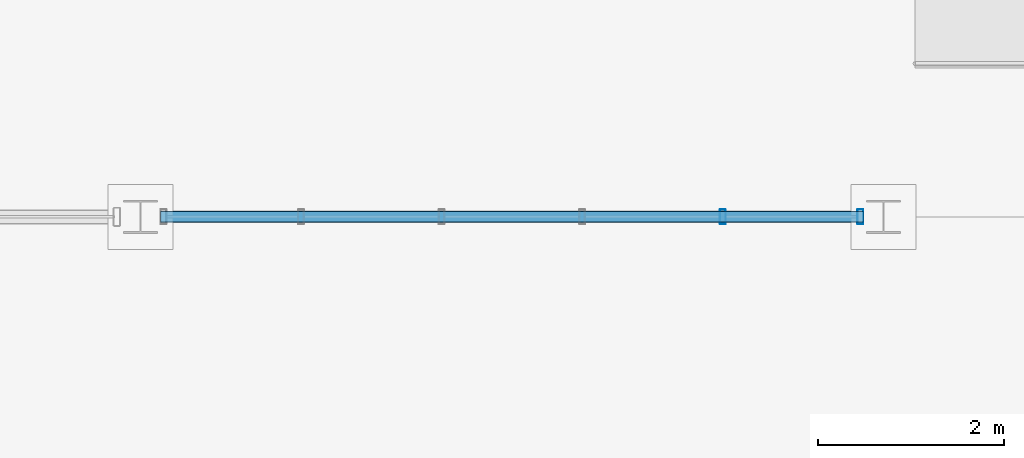
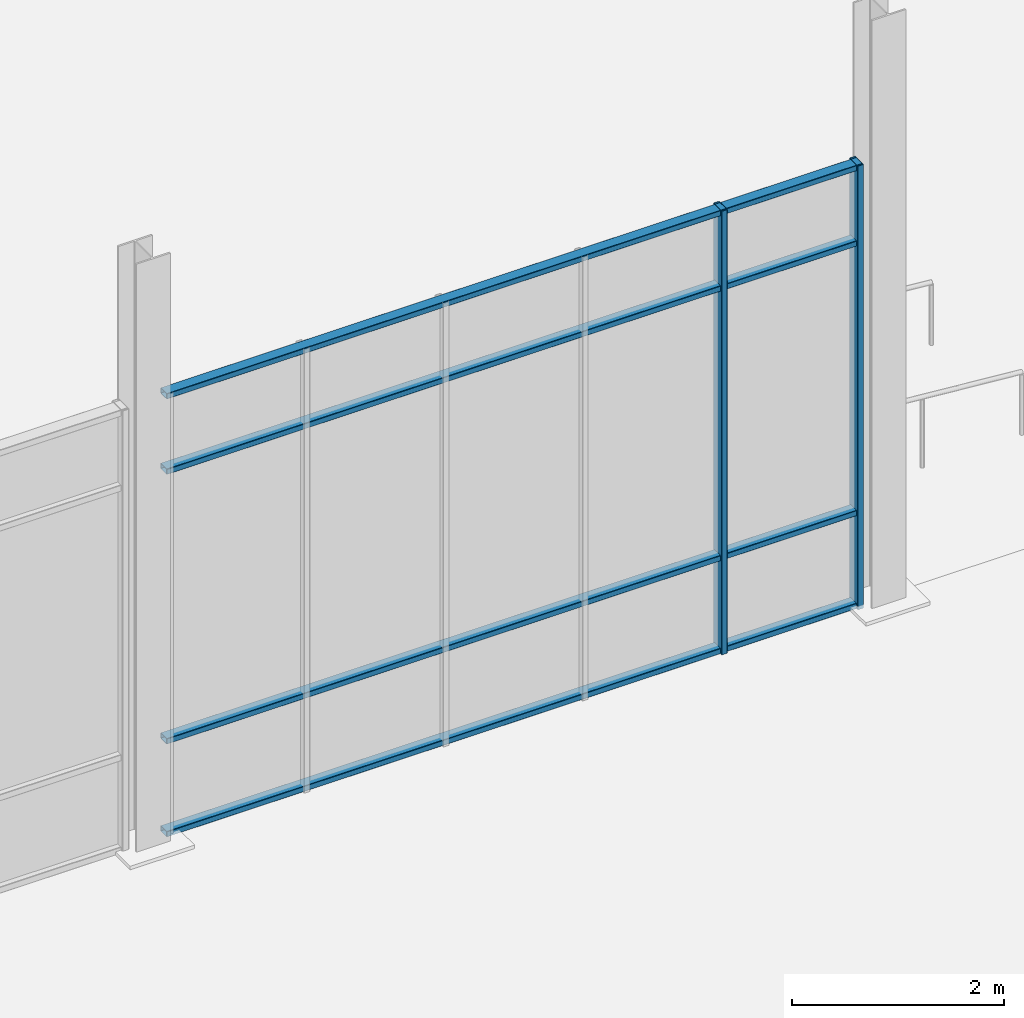
# One storey, part 67 of 140: 6 members, 1 element without a shape of its own.
"""IFC4 building model written with IfcOpenShell, lengths in metres."""

from ifc_helpers import new_model, si_unit, direction, frame, origin, origin_2d, place, context, subcontext, project, spatial, hollow_rectangle, extrude, material, material_profile, profile_set, type_object, element, aggregate, save


model = new_model("IFC4")

# Units and contexts
model_context = context("Model", 3, precision=1e-05, world=origin(), true_north=direction((0.0, 1.0)))
body_context = subcontext(model_context, "Body", "Model", "MODEL_VIEW")
ifc_project = project(units=[si_unit("LENGTHUNIT", "METRE"), si_unit("AREAUNIT", "SQUARE_METRE"), si_unit("VOLUMEUNIT", "CUBIC_METRE"), si_unit("PLANEANGLEUNIT", "RADIAN"), si_unit("MASSUNIT", "GRAM", prefix="KILO")], contexts=[model_context])

# Site, building, storey
site_placement = place(None, origin())
site = spatial("IfcSite", under=ifc_project, at=site_placement, CompositionType="ELEMENT")
building_placement = place(site_placement, origin())
building = spatial("IfcBuilding", under=site, at=building_placement, Name="Verrall Gate Interchange", CompositionType="ELEMENT")
storey_placement = place(building_placement, origin())
storey = spatial("IfcBuildingStorey", under=building, at=storey_placement, Name="L01", CompositionType="ELEMENT", Elevation=0.0)

# Curtain wall, members
ifc_material_1 = material(Name="Thermally Broken Anodized Aluminium Curtain Wall Framing", Category="aluminium")
curtain_wall_type = type_object("IfcCurtainWallType", Name="CW-06 Unitized Curtain Wall 7631x5100", PredefinedType="NOTDEFINED", material=ifc_material_1)
curtain_wall_placement = place(storey_placement, origin())
curtain_wall = element("IfcCurtainWall", 1, at=curtain_wall_placement, inside=storey, type_object=curtain_wall_type, Name="L01 Unitized Curtain Wall CW-L01-032", PredefinedType="NOTDEFINED")
ifc_material_2 = material(Name="Thermally Broken Anodized Aluminium Curtain Wall Framing", Category="aluminium")
ifc_material_profile_1 = material_profile(ifc_material_2, hollow_rectangle(XDim=0.06494140625, YDim=0.159912109375, WallThickness=0.00390625, InnerFilletRadius=0.00390625, OuterFilletRadius=0.008056640625, at=origin_2d()), Name="CWM160x65x4")
ifc_profile_set_1 = profile_set([ifc_material_profile_1], Name="Thermally Broken Anodized Aluminium Curtain Wall Framing")
member_type_1 = type_object("IfcMemberType", Name="CM-01 Curtain Mullion CWM160x65x4", PredefinedType="MULLION", material=ifc_profile_set_1)
member_1_placement = place(storey_placement, frame((83.7509765625, 90.0, 0.0), z_axis=(0.0, 0.0, 1.0), x_axis=(-1.0, 0.0, 0.0)))
member_1 = element("IfcMember", 2, at=member_1_placement, type_object=member_type_1, Name="CW-L01-032 Mullion 1", PredefinedType="MULLION", context=body_context, shape_type="SweptSolid", body=[
    extrude(hollow_rectangle(XDim=0.06494140625, YDim=0.159912109375, WallThickness=0.00390625, InnerFilletRadius=0.00390625, OuterFilletRadius=0.008056640625, at=origin_2d()), origin(), (0.0, 0.0, 1.0), 5.10009765625),
])
member_2_placement = place(storey_placement, frame((82.27001953125, 90.0, 0.0), z_axis=(0.0, 0.0, 1.0), x_axis=(-1.0, 0.0, 0.0)))
member_2 = element("IfcMember", 3, at=member_2_placement, type_object=member_type_1, Name="CW-L01-032 Mullion 2", PredefinedType="MULLION", context=body_context, shape_type="SweptSolid", body=[
    extrude(hollow_rectangle(XDim=0.06494140625, YDim=0.159912109375, WallThickness=0.00390625, InnerFilletRadius=0.00390625, OuterFilletRadius=0.008056640625, at=origin_2d()), origin(), (0.0, 0.0, 1.0), 5.10009765625),
])
ifc_material_3 = material(Name="Thermally Broken Anodized Aluminium Curtain Wall Framing", Category="aluminium")
ifc_material_profile_2 = material_profile(ifc_material_3, hollow_rectangle(XDim=0.1201171875, YDim=0.06494140625, WallThickness=0.00390625, InnerFilletRadius=0.00390625, OuterFilletRadius=0.008056640625, at=origin_2d()), Name="CWT120x65x4")
ifc_profile_set_2 = profile_set([ifc_material_profile_2], Name="Thermally Broken Anodized Aluminium Curtain Wall Framing")
member_type_2 = type_object("IfcMemberType", Name="CT-01 Curtain Transom CWT120x65x4", PredefinedType="USERDEFINED", material=ifc_profile_set_2)
member_3_placement = place(storey_placement, frame((83.783447265625, 90.0, 0.032470703125), z_axis=(-1.0, 0.0, 0.0), x_axis=(0.0, -1.0, 0.0)))
member_3 = element("IfcMember", 4, at=member_3_placement, type_object=member_type_2, Name="CW-L01-032 Transom 1", ObjectType="TRANSOM", PredefinedType="USERDEFINED", context=body_context, shape_type="SweptSolid", body=[
    extrude(hollow_rectangle(XDim=0.1201171875, YDim=0.06494140625, WallThickness=0.00390625, InnerFilletRadius=0.00390625, OuterFilletRadius=0.008056640625, at=origin_2d()), origin(), (0.0, 0.0, 1.0), 7.56689453125),
])
member_4_placement = place(storey_placement, frame((83.783447265625, 90.0, 1.10009765625), z_axis=(-1.0, 0.0, 0.0), x_axis=(0.0, -1.0, 0.0)))
member_4 = element("IfcMember", 5, at=member_4_placement, type_object=member_type_2, Name="CW-L01-032 Transom 2", ObjectType="TRANSOM", PredefinedType="USERDEFINED", context=body_context, shape_type="SweptSolid", body=[
    extrude(hollow_rectangle(XDim=0.1201171875, YDim=0.06494140625, WallThickness=0.00390625, InnerFilletRadius=0.00390625, OuterFilletRadius=0.008056640625, at=origin_2d()), origin(), (0.0, 0.0, 1.0), 7.56689453125),
])
member_5_placement = place(storey_placement, frame((83.783447265625, 90.0, 4.199951171875), z_axis=(-1.0, 0.0, 0.0), x_axis=(0.0, -1.0, 0.0)))
member_5 = element("IfcMember", 6, at=member_5_placement, type_object=member_type_2, Name="CW-L01-032 Transom 3", ObjectType="TRANSOM", PredefinedType="USERDEFINED", context=body_context, shape_type="SweptSolid", body=[
    extrude(hollow_rectangle(XDim=0.1201171875, YDim=0.06494140625, WallThickness=0.00390625, InnerFilletRadius=0.00390625, OuterFilletRadius=0.008056640625, at=origin_2d()), origin(), (0.0, 0.0, 1.0), 7.56689453125),
])
member_6_placement = place(storey_placement, frame((83.783447265625, 90.0, 5.0673828125), z_axis=(-1.0, 0.0, 0.0), x_axis=(0.0, -1.0, 0.0)))
member_6 = element("IfcMember", 7, at=member_6_placement, type_object=member_type_2, Name="CW-L01-032 Transom 4", ObjectType="TRANSOM", PredefinedType="USERDEFINED", context=body_context, shape_type="SweptSolid", body=[
    extrude(hollow_rectangle(XDim=0.1201171875, YDim=0.06494140625, WallThickness=0.00390625, InnerFilletRadius=0.00390625, OuterFilletRadius=0.008056640625, at=origin_2d()), origin(), (0.0, 0.0, 1.0), 7.56689453125),
])
aggregate(curtain_wall, [member_1, member_2, member_3, member_4, member_5, member_6])

save(model, "model.ifc")
